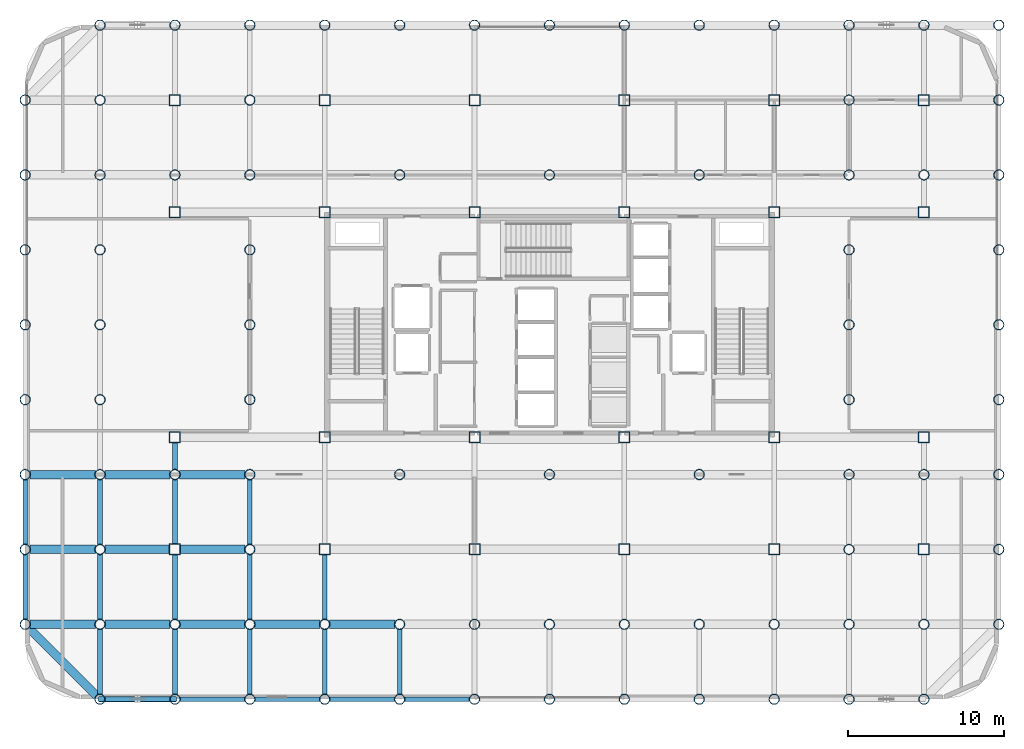
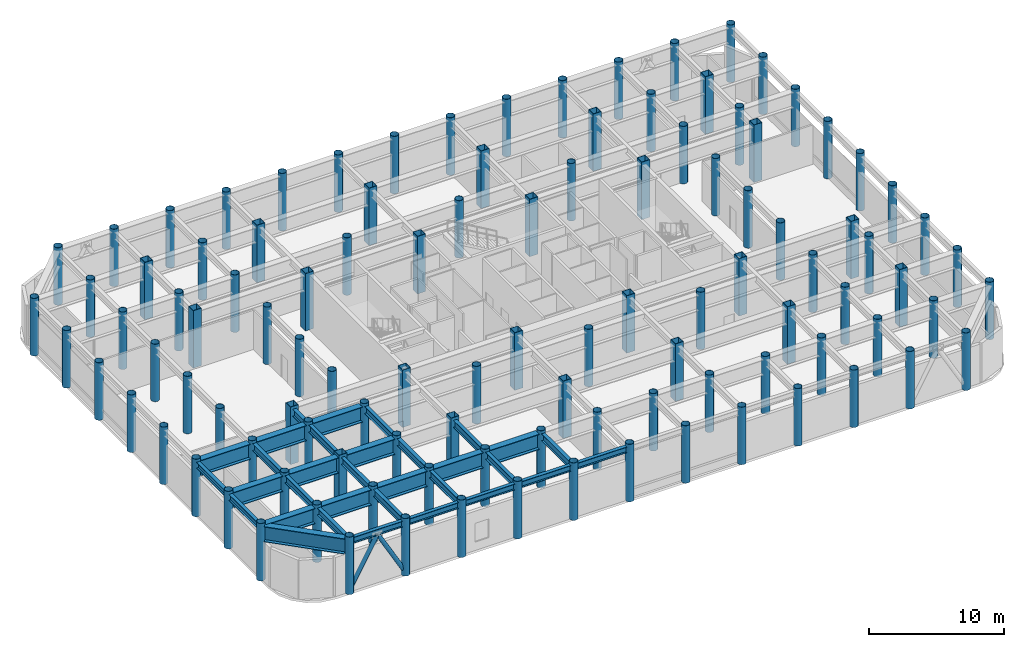
# One storey, part 1 of 20: 108 columns, 32 beams, 2 members.
"""IFC4 building model written with IfcOpenShell, lengths in metres."""

from ifc_helpers import new_model, si_unit, direction, frame, origin, origin_2d, place, context, subcontext, project, spatial, hollow_rectangle, hollow_circle, i_section, extrude, material, material_profile, profile_set, type_object, element, save


model = new_model("IFC4")

# Units and contexts
model_context = context("Model", 3, precision=1e-05, world=origin(), true_north=direction((0.0, 1.0)))
body_context = subcontext(model_context, "Body", "Model", "MODEL_VIEW")
ifc_project = project(units=[si_unit("LENGTHUNIT", "METRE"), si_unit("AREAUNIT", "SQUARE_METRE"), si_unit("VOLUMEUNIT", "CUBIC_METRE"), si_unit("PLANEANGLEUNIT", "RADIAN"), si_unit("MASSUNIT", "GRAM", prefix="KILO")], contexts=[model_context])

# Site, building, storey
site_placement = place(None, origin())
site = spatial("IfcSite", under=ifc_project, at=site_placement, CompositionType="ELEMENT")
building_placement = place(site_placement, origin())
building = spatial("IfcBuilding", under=site, at=building_placement, Name="Kallvorn Hotel Tower", CompositionType="ELEMENT")
storey_placement = place(building_placement, frame((0.0, 0.0, 180.300048828125)))
storey = spatial("IfcBuildingStorey", under=building, at=storey_placement, Name="L45", CompositionType="ELEMENT", Elevation=180.300048828125)

# Columns
ifc_material_1 = material(Name="Structural steel S355J2H", Category="steel")
ifc_material_profile_1 = material_profile(ifc_material_1, hollow_circle(Radius=0.330078125, WallThickness=0.028076171875, at=origin_2d()), Name="CHS 660x28")
ifc_profile_set_1 = profile_set([ifc_material_profile_1], Name="Structural steel S355J2H")
column_type_1 = type_object("IfcColumnType", Name="COL_CHS_660", PredefinedType="COLUMN", material=ifc_profile_set_1)
for number, where, z_axis, x_axis, name in (
    (1, (-33.60009765625, -19.199951171875, 0.0), (0.0, 0.0, 1.0), (1.0, 0.0, 0.0), "L45 Exoskeleton Column EC01"),
    (2, (-33.60009765625, -14.39990234375, 0.0), (0.0, 0.0, 1.0), (1.0, 0.0, 0.0), "L45 Exoskeleton Column EC02"),
    (3, (-33.60009765625, -9.60009765625, 0.0), (0.0, 0.0, 1.0), (1.0, 0.0, 0.0), "L45 Exoskeleton Column EC03"),
    (4, (-33.60009765625, -4.800048828125, 0.0), (0.0, 0.0, 1.0), (1.0, 0.0, 0.0), "L45 Exoskeleton Column EC04"),
    (5, (-33.60009765625, 0.0, 0.0), (0.0, 0.0, 1.0), (1.0, 0.0, 0.0), "L45 Exoskeleton Column EC05"),
    (6, (-33.60009765625, 4.800048828125, 0.0), (0.0, 0.0, 1.0), (1.0, 0.0, 0.0), "L45 Exoskeleton Column EC06"),
    (7, (-33.60009765625, 9.60009765625, 0.0), (0.0, 0.0, 1.0), (1.0, 0.0, 0.0), "L45 Exoskeleton Column EC07"),
    (8, (-33.60009765625, 14.39990234375, 0.0), (0.0, 0.0, 1.0), (1.0, 0.0, 0.0), "L45 Exoskeleton Column EC08"),
    (9, (-28.800048828125, -24.0, 0.0), (0.0, 0.0, 1.0), (1.0, 0.0, 0.0), "L45 Exoskeleton Column EC09"),
    (10, (-28.800048828125, -19.199951171875, 0.0), (0.0, 0.0, 1.0), (1.0, 0.0, 0.0), "L45 Exoskeleton Column EC10"),
    (11, (-28.800048828125, -14.39990234375, 0.0), (0.0, 0.0, 1.0), (1.0, 0.0, 0.0), "L45 Exoskeleton Column EC11"),
    (12, (-28.800048828125, -9.60009765625, 0.0), (0.0, 0.0, 1.0), (1.0, 0.0, 0.0), "L45 Exoskeleton Column EC12"),
    (13, (-28.800048828125, -4.800048828125, 0.0), (0.0, 0.0, 1.0), (1.0, 0.0, 0.0), "L45 Exoskeleton Column EC13"),
    (14, (-28.800048828125, 0.0, 0.0), (0.0, 0.0, 1.0), (1.0, 0.0, 0.0), "L45 Exoskeleton Column EC14"),
    (15, (-28.800048828125, 4.800048828125, 0.0), (0.0, 0.0, 1.0), (1.0, 0.0, 0.0), "L45 Exoskeleton Column EC15"),
    (16, (-28.800048828125, 9.60009765625, 0.0), (0.0, 0.0, 1.0), (1.0, 0.0, 0.0), "L45 Exoskeleton Column EC16"),
    (17, (-28.800048828125, 14.39990234375, 0.0), (0.0, 0.0, 1.0), (1.0, 0.0, 0.0), "L45 Exoskeleton Column EC17"),
    (18, (-28.800048828125, 19.199951171875, 0.0), (0.0, 0.0, 1.0), (1.0, 0.0, 0.0), "L45 Exoskeleton Column EC18"),
    (19, (-24.0, -24.0, 0.0), (0.0, 0.0, 1.0), (1.0, 0.0, 0.0), "L45 Exoskeleton Column EC19"),
    (20, (-24.0, -19.199951171875, 0.0), (0.0, 0.0, 1.0), (1.0, 0.0, 0.0), "L45 Exoskeleton Column EC20"),
    (21, (-24.0, -9.60009765625, 0.0), (0.0, 0.0, 1.0), (1.0, 0.0, 0.0), "L45 Exoskeleton Column EC21"),
    (22, (-24.0, 9.60009765625, 0.0), (0.0, 0.0, 1.0), (1.0, 0.0, 0.0), "L45 Exoskeleton Column EC22"),
    (23, (-24.0, 19.199951171875, 0.0), (0.0, 0.0, 1.0), (1.0, 0.0, 0.0), "L45 Exoskeleton Column EC23"),
    (24, (-19.199951171875, -24.0, 0.0), (0.0, 0.0, 1.0), (1.0, 0.0, 0.0), "L45 Exoskeleton Column EC24"),
    (25, (-19.199951171875, -19.199951171875, 0.0), (0.0, 0.0, 1.0), (1.0, 0.0, 0.0), "L45 Exoskeleton Column EC25"),
    (26, (-19.199951171875, -14.39990234375, 0.0), (0.0, 0.0, 1.0), (1.0, 0.0, 0.0), "L45 Exoskeleton Column EC26"),
    (27, (-19.199951171875, -9.60009765625, 0.0), (0.0, 0.0, 1.0), (1.0, 0.0, 0.0), "L45 Exoskeleton Column EC27"),
    (28, (-19.199951171875, -4.800048828125, 0.0), (0.0, 0.0, 1.0), (1.0, 0.0, 0.0), "L45 Exoskeleton Column EC28"),
    (29, (-19.199951171875, 0.0, 0.0), (0.0, 0.0, 1.0), (1.0, 0.0, 0.0), "L45 Exoskeleton Column EC29"),
    (30, (-19.199951171875, 4.800048828125, 0.0), (0.0, 0.0, 1.0), (1.0, 0.0, 0.0), "L45 Exoskeleton Column EC30"),
    (31, (-19.199951171875, 9.60009765625, 0.0), (0.0, 0.0, 1.0), (1.0, 0.0, 0.0), "L45 Exoskeleton Column EC31"),
    (32, (-19.199951171875, 14.39990234375, 0.0), (0.0, 0.0, 1.0), (1.0, 0.0, 0.0), "L45 Exoskeleton Column EC32"),
    (33, (-19.199951171875, 19.199951171875, 0.0), (0.0, 0.0, 1.0), (1.0, 0.0, 0.0), "L45 Exoskeleton Column EC33"),
    (34, (-14.39990234375, -24.0, 0.0), (0.0, 0.0, 1.0), (1.0, 0.0, 0.0), "L45 Exoskeleton Column EC34"),
    (35, (-14.39990234375, -19.199951171875, 0.0), (0.0, 0.0, 1.0), (1.0, 0.0, 0.0), "L45 Exoskeleton Column EC35"),
    (36, (-14.39990234375, 19.199951171875, 0.0), (0.0, 0.0, 1.0), (1.0, 0.0, 0.0), "L45 Exoskeleton Column EC36"),
    (37, (-9.60009765625, -24.0, 0.0), (0.0, 0.0, 1.0), (1.0, 0.0, 0.0), "L45 Exoskeleton Column EC37"),
    (38, (-9.60009765625, -19.199951171875, 0.0), (0.0, 0.0, 1.0), (1.0, 0.0, 0.0), "L45 Exoskeleton Column EC38"),
    (39, (-9.60009765625, -9.60009765625, 0.0), (0.0, 0.0, 1.0), (1.0, 0.0, 0.0), "L45 Exoskeleton Column EC39"),
    (40, (-9.60009765625, 9.60009765625, 0.0), (0.0, 0.0, 1.0), (1.0, 0.0, 0.0), "L45 Exoskeleton Column EC40"),
    (41, (-9.60009765625, 19.199951171875, 0.0), (0.0, 0.0, 1.0), (1.0, 0.0, 0.0), "L45 Exoskeleton Column EC41"),
    (42, (-4.800048828125, -24.0, 0.0), (0.0, 0.0, 1.0), (1.0, 0.0, 0.0), "L45 Exoskeleton Column EC42"),
    (43, (-4.800048828125, -19.199951171875, 0.0), (0.0, 0.0, 1.0), (1.0, 0.0, 0.0), "L45 Exoskeleton Column EC43"),
    (44, (-4.800048828125, 19.199951171875, 0.0), (0.0, 0.0, 1.0), (1.0, 0.0, 0.0), "L45 Exoskeleton Column EC44"),
    (45, (0.0, -24.0, 0.0), (0.0, 0.0, 1.0), (1.0, 0.0, 0.0), "L45 Exoskeleton Column EC45"),
    (46, (0.0, -19.199951171875, 0.0), (0.0, 0.0, 1.0), (1.0, 0.0, 0.0), "L45 Exoskeleton Column EC46"),
    (47, (0.0, -9.60009765625, 0.0), (0.0, 0.0, 1.0), (1.0, 0.0, 0.0), "L45 Exoskeleton Column EC47"),
    (48, (0.0, 9.60009765625, 0.0), (0.0, 0.0, 1.0), (1.0, 0.0, 0.0), "L45 Exoskeleton Column EC48"),
    (49, (0.0, 19.199951171875, 0.0), (0.0, 0.0, 1.0), (1.0, 0.0, 0.0), "L45 Exoskeleton Column EC49"),
    (50, (4.800048828125, -24.0, 0.0), (0.0, 0.0, 1.0), (1.0, 0.0, 0.0), "L45 Exoskeleton Column EC50"),
    (51, (4.800048828125, -19.199951171875, 0.0), (0.0, 0.0, 1.0), (1.0, 0.0, 0.0), "L45 Exoskeleton Column EC51"),
    (52, (4.800048828125, 19.199951171875, 0.0), (0.0, 0.0, 1.0), (1.0, 0.0, 0.0), "L45 Exoskeleton Column EC52"),
    (53, (9.60009765625, -24.0, 0.0), (0.0, 0.0, 1.0), (1.0, 0.0, 0.0), "L45 Exoskeleton Column EC53"),
    (54, (9.60009765625, -19.199951171875, 0.0), (0.0, 0.0, 1.0), (1.0, 0.0, 0.0), "L45 Exoskeleton Column EC54"),
    (55, (9.60009765625, -9.60009765625, 0.0), (0.0, 0.0, 1.0), (1.0, 0.0, 0.0), "L45 Exoskeleton Column EC55"),
    (56, (9.60009765625, 9.60009765625, 0.0), (0.0, 0.0, 1.0), (1.0, 0.0, 0.0), "L45 Exoskeleton Column EC56"),
    (57, (9.60009765625, 19.199951171875, 0.0), (0.0, 0.0, 1.0), (1.0, 0.0, 0.0), "L45 Exoskeleton Column EC57"),
    (58, (14.39990234375, -24.0, 0.0), (0.0, 0.0, 1.0), (1.0, 0.0, 0.0), "L45 Exoskeleton Column EC58"),
    (59, (14.39990234375, -19.199951171875, 0.0), (0.0, 0.0, 1.0), (1.0, 0.0, 0.0), "L45 Exoskeleton Column EC59"),
    (60, (14.39990234375, 19.199951171875, 0.0), (0.0, 0.0, 1.0), (1.0, 0.0, 0.0), "L45 Exoskeleton Column EC60"),
    (61, (19.199951171875, -24.0, 0.0), (0.0, 0.0, 1.0), (1.0, 0.0, 0.0), "L45 Exoskeleton Column EC61"),
    (62, (19.199951171875, -19.199951171875, 0.0), (0.0, 0.0, 1.0), (1.0, 0.0, 0.0), "L45 Exoskeleton Column EC62"),
    (63, (19.199951171875, -14.39990234375, 0.0), (0.0, 0.0, 1.0), (1.0, 0.0, 0.0), "L45 Exoskeleton Column EC63"),
    (64, (19.199951171875, -9.60009765625, 0.0), (0.0, 0.0, 1.0), (1.0, 0.0, 0.0), "L45 Exoskeleton Column EC64"),
    (65, (19.199951171875, -4.800048828125, 0.0), (0.0, 0.0, 1.0), (1.0, 0.0, 0.0), "L45 Exoskeleton Column EC65"),
    (66, (19.199951171875, 0.0, 0.0), (0.0, 0.0, 1.0), (1.0, 0.0, 0.0), "L45 Exoskeleton Column EC66"),
    (67, (19.199951171875, 4.800048828125, 0.0), (0.0, 0.0, 1.0), (1.0, 0.0, 0.0), "L45 Exoskeleton Column EC67"),
    (68, (19.199951171875, 9.60009765625, 0.0), (0.0, 0.0, 1.0), (1.0, 0.0, 0.0), "L45 Exoskeleton Column EC68"),
    (69, (19.199951171875, 14.39990234375, 0.0), (0.0, 0.0, 1.0), (1.0, 0.0, 0.0), "L45 Exoskeleton Column EC69"),
    (70, (19.199951171875, 19.199951171875, 0.0), (0.0, 0.0, 1.0), (1.0, 0.0, 0.0), "L45 Exoskeleton Column EC70"),
    (71, (24.0, -24.0, 0.0), (0.0, 0.0, 1.0), (1.0, 0.0, 0.0), "L45 Exoskeleton Column EC71"),
    (72, (24.0, -19.199951171875, 0.0), (0.0, 0.0, 1.0), (1.0, 0.0, 0.0), "L45 Exoskeleton Column EC72"),
    (73, (24.0, -9.60009765625, 0.0), (0.0, 0.0, 1.0), (1.0, 0.0, 0.0), "L45 Exoskeleton Column EC73"),
    (74, (24.0, 9.60009765625, 0.0), (0.0, 0.0, 1.0), (1.0, 0.0, 0.0), "L45 Exoskeleton Column EC74"),
    (75, (24.0, 19.199951171875, 0.0), (0.0, 0.0, 1.0), (1.0, 0.0, 0.0), "L45 Exoskeleton Column EC75"),
    (76, (28.800048828125, -19.199951171875, 0.0), (0.0, 0.0, 1.0), (1.0, 0.0, 0.0), "L45 Exoskeleton Column EC76"),
    (77, (28.800048828125, -14.39990234375, 0.0), (0.0, 0.0, 1.0), (1.0, 0.0, 0.0), "L45 Exoskeleton Column EC77"),
    (78, (28.800048828125, -9.60009765625, 0.0), (0.0, 0.0, 1.0), (1.0, 0.0, 0.0), "L45 Exoskeleton Column EC78"),
    (79, (28.800048828125, -4.800048828125, 0.0), (0.0, 0.0, 1.0), (1.0, 0.0, 0.0), "L45 Exoskeleton Column EC79"),
    (80, (28.800048828125, 0.0, 0.0), (0.0, 0.0, 1.0), (1.0, 0.0, 0.0), "L45 Exoskeleton Column EC80"),
    (81, (28.800048828125, 4.800048828125, 0.0), (0.0, 0.0, 1.0), (1.0, 0.0, 0.0), "L45 Exoskeleton Column EC81"),
    (82, (28.800048828125, 9.60009765625, 0.0), (0.0, 0.0, 1.0), (1.0, 0.0, 0.0), "L45 Exoskeleton Column EC82"),
    (83, (28.800048828125, 14.39990234375, 0.0), (0.0, 0.0, 1.0), (1.0, 0.0, 0.0), "L45 Exoskeleton Column EC83"),
    (84, (28.800048828125, 19.199951171875, 0.0), (0.0, 0.0, 1.0), (1.0, 0.0, 0.0), "L45 Exoskeleton Column EC84"),
):
    element("IfcColumn", number, at=place(storey_placement, frame(where, z_axis=z_axis, x_axis=x_axis)), inside=storey, type_object=column_type_1, Name=name, PredefinedType="COLUMN", context=body_context, shape_type="SweptSolid", body=[
        extrude(hollow_circle(Radius=0.330078125, WallThickness=0.028076171875, at=origin_2d()), origin(), (0.0, 0.0, 1.0), 5.199951171875),
    ])
ifc_material_2 = material(Name="Structural steel S355J2H", Category="steel")
ifc_material_profile_2 = material_profile(ifc_material_2, hollow_rectangle(XDim=0.699951171875, YDim=0.699951171875, WallThickness=0.031982421875, at=origin_2d()), Name="RHS 700x700x32")
ifc_profile_set_2 = profile_set([ifc_material_profile_2], Name="Structural steel S355J2H")
column_type_2 = type_object("IfcColumnType", Name="COL_RHS_700", PredefinedType="COLUMN", material=ifc_profile_set_2)
for number, where, z_axis, x_axis, name in (
    (85, (-24.0, -14.39990234375, 0.0), (0.0, 0.0, 1.0), (1.0, 0.0, 0.0), "L45 Inner Column IC01"),
    (86, (-24.0, -7.199951171875, 0.0), (0.0, 0.0, 1.0), (1.0, 0.0, 0.0), "L45 Inner Column IC02"),
    (87, (-24.0, 7.199951171875, 0.0), (0.0, 0.0, 1.0), (1.0, 0.0, 0.0), "L45 Inner Column IC03"),
    (88, (-24.0, 14.39990234375, 0.0), (0.0, 0.0, 1.0), (1.0, 0.0, 0.0), "L45 Inner Column IC04"),
    (89, (-14.39990234375, -14.39990234375, 0.0), (0.0, 0.0, 1.0), (1.0, 0.0, 0.0), "L45 Inner Column IC05"),
    (90, (-14.39990234375, -7.199951171875, 0.0), (0.0, 0.0, 1.0), (1.0, 0.0, 0.0), "L45 Inner Column IC06"),
    (91, (-14.39990234375, 7.199951171875, 0.0), (0.0, 0.0, 1.0), (1.0, 0.0, 0.0), "L45 Inner Column IC07"),
    (92, (-14.39990234375, 14.39990234375, 0.0), (0.0, 0.0, 1.0), (1.0, 0.0, 0.0), "L45 Inner Column IC08"),
    (93, (-4.800048828125, -14.39990234375, 0.0), (0.0, 0.0, 1.0), (1.0, 0.0, 0.0), "L45 Inner Column IC09"),
    (94, (-4.800048828125, -7.199951171875, 0.0), (0.0, 0.0, 1.0), (1.0, 0.0, 0.0), "L45 Inner Column IC10"),
    (95, (-4.800048828125, 7.199951171875, 0.0), (0.0, 0.0, 1.0), (1.0, 0.0, 0.0), "L45 Inner Column IC11"),
    (96, (-4.800048828125, 14.39990234375, 0.0), (0.0, 0.0, 1.0), (1.0, 0.0, 0.0), "L45 Inner Column IC12"),
    (97, (4.800048828125, -14.39990234375, 0.0), (0.0, 0.0, 1.0), (1.0, 0.0, 0.0), "L45 Inner Column IC13"),
    (98, (4.800048828125, -7.199951171875, 0.0), (0.0, 0.0, 1.0), (1.0, 0.0, 0.0), "L45 Inner Column IC14"),
    (99, (4.800048828125, 7.199951171875, 0.0), (0.0, 0.0, 1.0), (1.0, 0.0, 0.0), "L45 Inner Column IC15"),
    (100, (4.800048828125, 14.39990234375, 0.0), (0.0, 0.0, 1.0), (1.0, 0.0, 0.0), "L45 Inner Column IC16"),
    (101, (14.39990234375, -14.39990234375, 0.0), (0.0, 0.0, 1.0), (1.0, 0.0, 0.0), "L45 Inner Column IC17"),
    (102, (14.39990234375, -7.199951171875, 0.0), (0.0, 0.0, 1.0), (1.0, 0.0, 0.0), "L45 Inner Column IC18"),
    (103, (14.39990234375, 7.199951171875, 0.0), (0.0, 0.0, 1.0), (1.0, 0.0, 0.0), "L45 Inner Column IC19"),
    (104, (14.39990234375, 14.39990234375, 0.0), (0.0, 0.0, 1.0), (1.0, 0.0, 0.0), "L45 Inner Column IC20"),
    (105, (24.0, -14.39990234375, 0.0), (0.0, 0.0, 1.0), (1.0, 0.0, 0.0), "L45 Inner Column IC21"),
    (106, (24.0, -7.199951171875, 0.0), (0.0, 0.0, 1.0), (1.0, 0.0, 0.0), "L45 Inner Column IC22"),
    (107, (24.0, 7.199951171875, 0.0), (0.0, 0.0, 1.0), (1.0, 0.0, 0.0), "L45 Inner Column IC23"),
    (108, (24.0, 14.39990234375, 0.0), (0.0, 0.0, 1.0), (1.0, 0.0, 0.0), "L45 Inner Column IC24"),
):
    element("IfcColumn", number, at=place(storey_placement, frame(where, z_axis=z_axis, x_axis=x_axis)), inside=storey, type_object=column_type_2, Name=name, PredefinedType="COLUMN", context=body_context, shape_type="SweptSolid", body=[
        extrude(hollow_rectangle(XDim=0.699951171875, YDim=0.699951171875, WallThickness=0.031982421875, at=origin_2d()), origin(), (0.0, 0.0, 1.0), 5.199951171875),
    ])

# Beams
ifc_material_3 = material(Name="Structural steel S355JR", Category="steel")
ifc_material_profile_3 = material_profile(ifc_material_3, i_section(OverallWidth=0.300048828125, OverallDepth=0.550048828125, WebThickness=0.014892578125, FlangeThickness=0.029052734375, at=origin_2d()), Name="HE 550 B")
ifc_profile_set_3 = profile_set([ifc_material_profile_3], Name="Structural steel S355JR")
beam_type_1 = type_object("IfcBeamType", Name="BM_HE550B", PredefinedType="SPANDREL", material=ifc_profile_set_3)
for number, where, z_axis, x_axis, name in (
    (109, (-28.47998046875, -24.0, 4.675048828125), (1.0, 0.0, 0.0), (0.0, 1.0, 0.0), "L46 Perimeter Spandrel 151"),
    (110, (-23.679931640625, -24.0, 4.675048828125), (1.0, 0.0, 0.0), (0.0, 1.0, 0.0), "L46 Perimeter Spandrel 152"),
    (111, (-18.8798828125, -24.0, 4.675048828125), (1.0, 0.0, 0.0), (0.0, 1.0, 0.0), "L46 Perimeter Spandrel 153"),
):
    element("IfcBeam", number, at=place(storey_placement, frame(where, z_axis=z_axis, x_axis=x_axis)), inside=storey, type_object=beam_type_1, Name=name, PredefinedType="SPANDREL", context=body_context, shape_type="SweptSolid", body=[
        extrude(i_section(OverallWidth=0.300048828125, OverallDepth=0.550048828125, WebThickness=0.014892578125, FlangeThickness=0.029052734375, at=origin_2d()), origin(), (0.0, 0.0, 1.0), 4.159912109375),
    ])
beam_1_placement = place(storey_placement, frame((-14.080078125, -24.0, 4.675048828125), z_axis=(1.0, 0.0, 0.0), x_axis=(0.0, 1.0, 0.0)))
element("IfcBeam", 112, at=beam_1_placement, inside=storey, type_object=beam_type_1, Name="L46 Perimeter Spandrel 154", PredefinedType="SPANDREL", context=body_context, shape_type="SweptSolid", body=[
    extrude(i_section(OverallWidth=0.300048828125, OverallDepth=0.550048828125, WebThickness=0.014892578125, FlangeThickness=0.029052734375, at=origin_2d()), origin(), (0.0, 0.0, 1.0), 4.16015625),
])
for number, where, z_axis, x_axis, name in (
    (113, (-9.280029296875, -24.0, 4.675048828125), (1.0, 0.0, 0.0), (0.0, 1.0, 0.0), "L46 Perimeter Spandrel 155"),
    (114, (-33.60009765625, -18.8798828125, 4.675048828125), (0.0, 1.0, 0.0), (-1.0, 0.0, 0.0), "L46 Perimeter Spandrel 174"),
):
    element("IfcBeam", number, at=place(storey_placement, frame(where, z_axis=z_axis, x_axis=x_axis)), inside=storey, type_object=beam_type_1, Name=name, PredefinedType="SPANDREL", context=body_context, shape_type="SweptSolid", body=[
        extrude(i_section(OverallWidth=0.300048828125, OverallDepth=0.550048828125, WebThickness=0.014892578125, FlangeThickness=0.029052734375, at=origin_2d()), origin(), (0.0, 0.0, 1.0), 4.159912109375),
    ])
beam_2_placement = place(storey_placement, frame((-33.60009765625, -14.080078125, 4.675048828125), z_axis=(0.0, 1.0, 0.0), x_axis=(-1.0, 0.0, 0.0)))
element("IfcBeam", 115, at=beam_2_placement, inside=storey, type_object=beam_type_1, Name="L46 Perimeter Spandrel 175", PredefinedType="SPANDREL", context=body_context, shape_type="SweptSolid", body=[
    extrude(i_section(OverallWidth=0.300048828125, OverallDepth=0.550048828125, WebThickness=0.014892578125, FlangeThickness=0.029052734375, at=origin_2d()), origin(), (0.0, 0.0, 1.0), 4.16015625),
])
ifc_material_4 = material(Name="Structural steel S355JR", Category="steel")
ifc_material_profile_4 = material_profile(ifc_material_4, i_section(OverallWidth=0.300048828125, OverallDepth=0.64990234375, WebThickness=0.01611328125, FlangeThickness=0.031005859375, at=origin_2d()), Name="HE 650 B")
ifc_profile_set_4 = profile_set([ifc_material_profile_4], Name="Structural steel S355JR")
beam_type_2 = type_object("IfcBeamType", Name="BM_HE650B", PredefinedType="BEAM", material=ifc_profile_set_4)
beam_3_placement = place(storey_placement, frame((-28.800048828125, -23.695068359375, 4.625), z_axis=(0.0, 1.0, 0.0), x_axis=(-1.0, 0.0, 0.0)))
element("IfcBeam", 116, at=beam_3_placement, inside=storey, type_object=beam_type_2, Name="L46 Primary Y-Girder 73", PredefinedType="BEAM", context=body_context, shape_type="SweptSolid", body=[
    extrude(i_section(OverallWidth=0.300048828125, OverallDepth=0.64990234375, WebThickness=0.01611328125, FlangeThickness=0.031005859375, at=origin_2d()), origin(), (0.0, 0.0, 1.0), 4.190185546875),
])
for number, where, z_axis, x_axis, name in (
    (117, (-28.800048828125, -18.89501953125, 4.625), (0.0, 1.0, 0.0), (-1.0, 0.0, 0.0), "L46 Primary Y-Girder 74"),
    (118, (-28.800048828125, -14.094970703125, 4.625), (0.0, 1.0, 0.0), (-1.0, 0.0, 0.0), "L46 Primary Y-Girder 75"),
):
    element("IfcBeam", number, at=place(storey_placement, frame(where, z_axis=z_axis, x_axis=x_axis)), inside=storey, type_object=beam_type_2, Name=name, PredefinedType="BEAM", context=body_context, shape_type="SweptSolid", body=[
        extrude(i_section(OverallWidth=0.300048828125, OverallDepth=0.64990234375, WebThickness=0.01611328125, FlangeThickness=0.031005859375, at=origin_2d()), origin(), (0.0, 0.0, 1.0), 4.18994140625),
    ])
beam_4_placement = place(storey_placement, frame((-24.0, -23.695068359375, 4.625), z_axis=(0.0, 1.0, 0.0), x_axis=(-1.0, 0.0, 0.0)))
element("IfcBeam", 119, at=beam_4_placement, inside=storey, type_object=beam_type_2, Name="L46 Primary Y-Girder 82", PredefinedType="BEAM", context=body_context, shape_type="SweptSolid", body=[
    extrude(i_section(OverallWidth=0.300048828125, OverallDepth=0.64990234375, WebThickness=0.01611328125, FlangeThickness=0.031005859375, at=origin_2d()), origin(), (0.0, 0.0, 1.0), 4.190185546875),
])
for number, where, z_axis, x_axis, name in (
    (120, (-24.0, -18.89501953125, 4.625), (0.0, 1.0, 0.0), (-1.0, 0.0, 0.0), "L46 Primary Y-Girder 83"),
    (121, (-24.0, -14.074951171875, 4.625), (0.0, 1.0, 0.0), (-1.0, 0.0, 0.0), "L46 Primary Y-Girder 84"),
):
    element("IfcBeam", number, at=place(storey_placement, frame(where, z_axis=z_axis, x_axis=x_axis)), inside=storey, type_object=beam_type_2, Name=name, PredefinedType="BEAM", context=body_context, shape_type="SweptSolid", body=[
        extrude(i_section(OverallWidth=0.300048828125, OverallDepth=0.64990234375, WebThickness=0.01611328125, FlangeThickness=0.031005859375, at=origin_2d()), origin(), (0.0, 0.0, 1.0), 4.169921875),
    ])
beam_5_placement = place(storey_placement, frame((-24.0, -9.294921875, 4.625), z_axis=(0.0, 1.0, 0.0), x_axis=(-1.0, 0.0, 0.0)))
element("IfcBeam", 122, at=beam_5_placement, inside=storey, type_object=beam_type_2, Name="L46 Primary Y-Girder 85", PredefinedType="BEAM", context=body_context, shape_type="SweptSolid", body=[
    extrude(i_section(OverallWidth=0.300048828125, OverallDepth=0.64990234375, WebThickness=0.01611328125, FlangeThickness=0.031005859375, at=origin_2d()), origin(), (0.0, 0.0, 1.0), 1.77001953125),
])
beam_6_placement = place(storey_placement, frame((-19.199951171875, -23.695068359375, 4.625), z_axis=(0.0, 1.0, 0.0), x_axis=(-1.0, 0.0, 0.0)))
element("IfcBeam", 123, at=beam_6_placement, inside=storey, type_object=beam_type_2, Name="L46 Primary Y-Girder 89", PredefinedType="BEAM", context=body_context, shape_type="SweptSolid", body=[
    extrude(i_section(OverallWidth=0.300048828125, OverallDepth=0.64990234375, WebThickness=0.01611328125, FlangeThickness=0.031005859375, at=origin_2d()), origin(), (0.0, 0.0, 1.0), 4.190185546875),
])
for number, where, z_axis, x_axis, name in (
    (124, (-19.199951171875, -18.89501953125, 4.625), (0.0, 1.0, 0.0), (-1.0, 0.0, 0.0), "L46 Primary Y-Girder 90"),
    (125, (-19.199951171875, -14.094970703125, 4.625), (0.0, 1.0, 0.0), (-1.0, 0.0, 0.0), "L46 Primary Y-Girder 91"),
):
    element("IfcBeam", number, at=place(storey_placement, frame(where, z_axis=z_axis, x_axis=x_axis)), inside=storey, type_object=beam_type_2, Name=name, PredefinedType="BEAM", context=body_context, shape_type="SweptSolid", body=[
        extrude(i_section(OverallWidth=0.300048828125, OverallDepth=0.64990234375, WebThickness=0.01611328125, FlangeThickness=0.031005859375, at=origin_2d()), origin(), (0.0, 0.0, 1.0), 4.18994140625),
    ])
beam_7_placement = place(storey_placement, frame((-14.39990234375, -23.695068359375, 4.625), z_axis=(0.0, 1.0, 0.0), x_axis=(-1.0, 0.0, 0.0)))
element("IfcBeam", 126, at=beam_7_placement, inside=storey, type_object=beam_type_2, Name="L46 Primary Y-Girder 98", PredefinedType="BEAM", context=body_context, shape_type="SweptSolid", body=[
    extrude(i_section(OverallWidth=0.300048828125, OverallDepth=0.64990234375, WebThickness=0.01611328125, FlangeThickness=0.031005859375, at=origin_2d()), origin(), (0.0, 0.0, 1.0), 4.190185546875),
])
beam_8_placement = place(storey_placement, frame((-14.39990234375, -18.89501953125, 4.625), z_axis=(0.0, 1.0, 0.0), x_axis=(-1.0, 0.0, 0.0)))
element("IfcBeam", 127, at=beam_8_placement, inside=storey, type_object=beam_type_2, Name="L46 Primary Y-Girder 99", PredefinedType="BEAM", context=body_context, shape_type="SweptSolid", body=[
    extrude(i_section(OverallWidth=0.300048828125, OverallDepth=0.64990234375, WebThickness=0.01611328125, FlangeThickness=0.031005859375, at=origin_2d()), origin(), (0.0, 0.0, 1.0), 4.169921875),
])
beam_9_placement = place(storey_placement, frame((-9.60009765625, -23.695068359375, 4.625), z_axis=(0.0, 1.0, 0.0), x_axis=(-1.0, 0.0, 0.0)))
element("IfcBeam", 128, at=beam_9_placement, inside=storey, type_object=beam_type_2, Name="L46 Primary Y-Girder 103", PredefinedType="BEAM", context=body_context, shape_type="SweptSolid", body=[
    extrude(i_section(OverallWidth=0.300048828125, OverallDepth=0.64990234375, WebThickness=0.01611328125, FlangeThickness=0.031005859375, at=origin_2d()), origin(), (0.0, 0.0, 1.0), 4.190185546875),
])
ifc_material_5 = material(Name="Structural steel S355JR", Category="steel")
ifc_material_profile_5 = material_profile(ifc_material_5, i_section(OverallWidth=0.550048828125, OverallDepth=1.39990234375, WebThickness=0.02490234375, FlangeThickness=0.044921875, at=origin_2d()), Name="PG 1400x550x25x45")
ifc_profile_set_5 = profile_set([ifc_material_profile_5], Name="Structural steel S355JR")
beam_type_3 = type_object("IfcBeamType", Name="BM_PG_1400", PredefinedType="BEAM", material=ifc_profile_set_5)
beam_10_placement = place(storey_placement, frame((-33.294921875, -19.199951171875, 4.25), z_axis=(1.0, 0.0, 0.0), x_axis=(0.0, 1.0, 0.0)))
element("IfcBeam", 129, at=beam_10_placement, inside=storey, type_object=beam_type_3, Name="L46 Primary X-Girder 01", PredefinedType="BEAM", context=body_context, shape_type="SweptSolid", body=[
    extrude(i_section(OverallWidth=0.550048828125, OverallDepth=1.39990234375, WebThickness=0.02490234375, FlangeThickness=0.044921875, at=origin_2d()), origin(), (0.0, 0.0, 1.0), 4.18994140625),
])
for number, where, z_axis, x_axis, name in (
    (130, (-28.4951171875, -19.199951171875, 4.25), (1.0, 0.0, 0.0), (0.0, 1.0, 0.0), "L46 Primary X-Girder 02"),
    (131, (-23.695068359375, -19.199951171875, 4.25), (1.0, 0.0, 0.0), (0.0, 1.0, 0.0), "L46 Primary X-Girder 03"),
):
    element("IfcBeam", number, at=place(storey_placement, frame(where, z_axis=z_axis, x_axis=x_axis)), inside=storey, type_object=beam_type_3, Name=name, PredefinedType="BEAM", context=body_context, shape_type="SweptSolid", body=[
        extrude(i_section(OverallWidth=0.550048828125, OverallDepth=1.39990234375, WebThickness=0.02490234375, FlangeThickness=0.044921875, at=origin_2d()), origin(), (0.0, 0.0, 1.0), 4.190185546875),
    ])
for number, where, z_axis, x_axis, name in (
    (132, (-18.89501953125, -19.199951171875, 4.25), (1.0, 0.0, 0.0), (0.0, 1.0, 0.0), "L46 Primary X-Girder 04"),
    (133, (-14.094970703125, -19.199951171875, 4.25), (1.0, 0.0, 0.0), (0.0, 1.0, 0.0), "L46 Primary X-Girder 05"),
    (134, (-33.294921875, -14.39990234375, 4.25), (1.0, 0.0, 0.0), (0.0, 1.0, 0.0), "L46 Primary X-Girder 14"),
):
    element("IfcBeam", number, at=place(storey_placement, frame(where, z_axis=z_axis, x_axis=x_axis)), inside=storey, type_object=beam_type_3, Name=name, PredefinedType="BEAM", context=body_context, shape_type="SweptSolid", body=[
        extrude(i_section(OverallWidth=0.550048828125, OverallDepth=1.39990234375, WebThickness=0.02490234375, FlangeThickness=0.044921875, at=origin_2d()), origin(), (0.0, 0.0, 1.0), 4.18994140625),
    ])
for number, where, z_axis, x_axis, name in (
    (135, (-28.4951171875, -14.39990234375, 4.25), (1.0, 0.0, 0.0), (0.0, 1.0, 0.0), "L46 Primary X-Girder 15"),
    (136, (-23.675048828125, -14.39990234375, 4.25), (1.0, 0.0, 0.0), (0.0, 1.0, 0.0), "L46 Primary X-Girder 16"),
):
    element("IfcBeam", number, at=place(storey_placement, frame(where, z_axis=z_axis, x_axis=x_axis)), inside=storey, type_object=beam_type_3, Name=name, PredefinedType="BEAM", context=body_context, shape_type="SweptSolid", body=[
        extrude(i_section(OverallWidth=0.550048828125, OverallDepth=1.39990234375, WebThickness=0.02490234375, FlangeThickness=0.044921875, at=origin_2d()), origin(), (0.0, 0.0, 1.0), 4.170166015625),
    ])
beam_11_placement = place(storey_placement, frame((-33.294921875, -9.60009765625, 4.25), z_axis=(1.0, 0.0, 0.0), x_axis=(0.0, 1.0, 0.0)))
element("IfcBeam", 137, at=beam_11_placement, inside=storey, type_object=beam_type_3, Name="L46 Primary X-Girder 24", PredefinedType="BEAM", context=body_context, shape_type="SweptSolid", body=[
    extrude(i_section(OverallWidth=0.550048828125, OverallDepth=1.39990234375, WebThickness=0.02490234375, FlangeThickness=0.044921875, at=origin_2d()), origin(), (0.0, 0.0, 1.0), 4.18994140625),
])
for number, where, z_axis, x_axis, name in (
    (138, (-28.4951171875, -9.60009765625, 4.25), (1.0, 0.0, 0.0), (0.0, 1.0, 0.0), "L46 Primary X-Girder 25"),
    (139, (-23.695068359375, -9.60009765625, 4.25), (1.0, 0.0, 0.0), (0.0, 1.0, 0.0), "L46 Primary X-Girder 26"),
):
    element("IfcBeam", number, at=place(storey_placement, frame(where, z_axis=z_axis, x_axis=x_axis)), inside=storey, type_object=beam_type_3, Name=name, PredefinedType="BEAM", context=body_context, shape_type="SweptSolid", body=[
        extrude(i_section(OverallWidth=0.550048828125, OverallDepth=1.39990234375, WebThickness=0.02490234375, FlangeThickness=0.044921875, at=origin_2d()), origin(), (0.0, 0.0, 1.0), 4.190185546875),
    ])
beam_12_placement = place(storey_placement, frame((-33.373779296875, -19.42626953125, 4.25), z_axis=(0.707106781187, -0.707106781187, 0.0), x_axis=(0.707106781187, 0.707106781187, 0.0)))
element("IfcBeam", 140, at=beam_12_placement, inside=storey, type_object=beam_type_3, Name="L46 Rounded Corner Tie Beam 189", PredefinedType="BEAM", context=body_context, shape_type="SweptSolid", body=[
    extrude(i_section(OverallWidth=0.550048828125, OverallDepth=1.39990234375, WebThickness=0.02490234375, FlangeThickness=0.044921875, at=origin_2d()), origin(), (0.0, 0.0, 1.0), 6.148193359375),
])

# Members
ifc_material_6 = material(Name="Structural steel S355J2H", Category="steel")
ifc_material_profile_6 = material_profile(ifc_material_6, hollow_circle(Radius=0.177734375, WallThickness=0.01416015625, at=origin_2d()), Name="CHS 355.6x14.2")
ifc_profile_set_6 = profile_set([ifc_material_profile_6], Name="Structural steel S355J2H")
member_type = type_object("IfcMemberType", Name="MBR_EXO_CHS355", PredefinedType="BRACE", material=ifc_profile_set_6)
for number, where, z_axis, x_axis, name in (
    (141, (-28.790283203125, -24.0, 0.197265625), (0.490827587651, 0.0, 0.871256724049), (0.0, 1.0, 0.0), "L45 Exoskeleton K-Brace S1A"),
    (142, (-24.009765625, -24.0, 0.197265625), (-0.490827587651, 0.0, 0.871256724049), (0.0, -1.0, 0.0), "L45 Exoskeleton K-Brace S1B"),
):
    element("IfcMember", number, at=place(storey_placement, frame(where, z_axis=z_axis, x_axis=x_axis)), inside=storey, type_object=member_type, Name=name, PredefinedType="BRACE", context=body_context, shape_type="SweptSolid", body=[
        extrude(hollow_circle(Radius=0.177734375, WallThickness=0.01416015625, at=origin_2d()), origin(), (0.0, 0.0, 1.0), 4.849609375),
    ])

save(model, "model.ifc")
